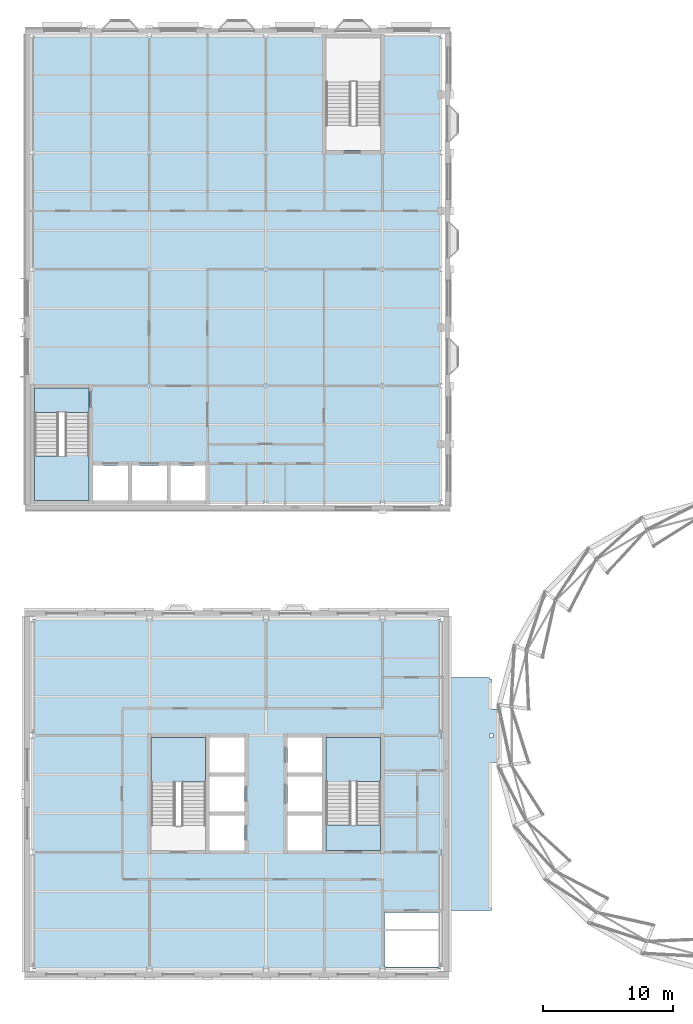
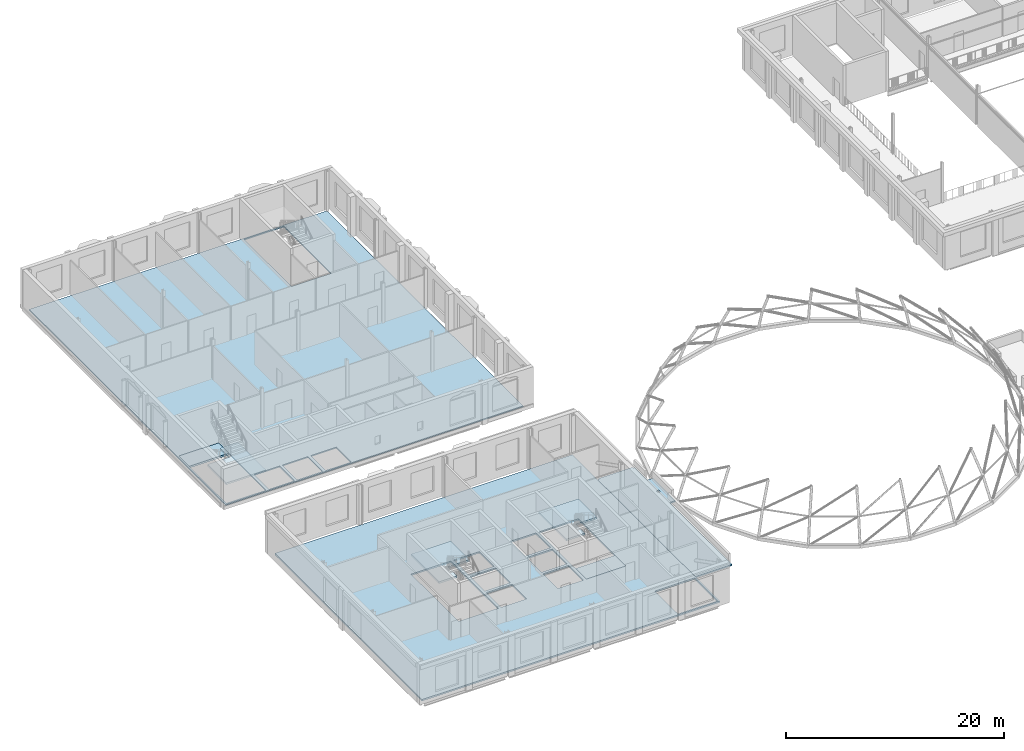
# One storey, part 18 of 59: 8 slabs, 3 elements without a shape of their own.
"""IFC4 building model written with IfcOpenShell, lengths in metres."""

from ifc_helpers import new_model, si_unit, direction, frame, origin, place, context, subcontext, project, spatial, polyline, outline, extrude, material, layer, layer_set, type_object, element, aggregate, save


model = new_model("IFC4")

# Units and contexts
model_context = context("Model", 3, precision=1e-05, world=origin(), true_north=direction((0.0, 1.0)))
body_context = subcontext(model_context, "Body", "Model", "MODEL_VIEW")
ifc_project = project(units=[si_unit("LENGTHUNIT", "METRE"), si_unit("AREAUNIT", "SQUARE_METRE"), si_unit("VOLUMEUNIT", "CUBIC_METRE"), si_unit("PLANEANGLEUNIT", "RADIAN"), si_unit("MASSUNIT", "GRAM", prefix="KILO")], contexts=[model_context])

# Site, building, storey
site_placement = place(None, origin())
site = spatial("IfcSite", under=ifc_project, at=site_placement, CompositionType="ELEMENT")
building_placement = place(site_placement, origin())
building = spatial("IfcBuilding", under=site, at=building_placement, Name="Hortulan Conservatory and Botanical Research Centre", CompositionType="ELEMENT")
storey_placement = place(building_placement, frame((0.0, 0.0, 10.5)))
storey = spatial("IfcBuildingStorey", under=building, at=storey_placement, Name="L02", CompositionType="ELEMENT", Elevation=10.5)

# Slabs
ifc_material_1 = material(Name="Concrete N32 (32 MPa, AS 3600)", Category="concrete")
ifc_layer_1 = layer(ifc_material_1, 0.1298828125)
ifc_layer_set_1 = layer_set([ifc_layer_1], Name="Composite Floor Slab 130")
slab_type_1 = type_object("IfcSlabType", Name="Composite Floor Slab 130", PredefinedType="FLOOR", material=ifc_layer_set_1)
slab_1_placement = place(storey_placement, frame((0.0, 0.0, -0.1298828125)))
element("IfcSlab", 1, at=slab_1_placement, inside=storey, type_object=slab_type_1, Name="Floor slab", PredefinedType="FLOOR", context=body_context, shape_type="SweptSolid", body=[
    extrude(outline(polyline([(0.0, 36.0), (31.5, 36.0), (31.5, 72.0), (0.0, 72.0), (0.0, 36.0)]), holes=[polyline([(4.64990234375, 36.14990234375), (7.35009765625, 36.14990234375), (7.35009765625, 38.85009765625), (4.64990234375, 38.85009765625), (4.64990234375, 36.14990234375)]), polyline([(7.64990234375, 36.14990234375), (10.35009765625, 36.14990234375), (10.35009765625, 38.85009765625), (7.64990234375, 38.85009765625), (7.64990234375, 36.14990234375)]), polyline([(10.64990234375, 36.14990234375), (13.35009765625, 36.14990234375), (13.35009765625, 38.85009765625), (10.64990234375, 38.85009765625), (10.64990234375, 36.14990234375)]), polyline([(0.14990234375, 44.85009765625), (0.14990234375, 36.14990234375), (4.35009765625, 36.14990234375), (4.35009765625, 44.85009765625), (0.14990234375, 44.85009765625)]), polyline([(22.64990234375, 71.85009765625), (22.64990234375, 63.14990234375), (26.85009765625, 63.14990234375), (26.85009765625, 71.85009765625), (22.64990234375, 71.85009765625)])]), origin(), (0.0, 0.0, 1.0), 0.1298828125),
])
ifc_material_2 = material(Name="Concrete N40 (40 MPa, AS 3600)", Category="concrete")
ifc_layer_2 = layer(ifc_material_2, 0.169921875)
ifc_layer_set_2 = layer_set([ifc_layer_2], Name="Composite Floor Slab 170")
slab_type_2 = type_object("IfcSlabType", Name="Composite Floor Slab 170", PredefinedType="FLOOR", material=ifc_layer_set_2)
slab_2_placement = place(storey_placement, frame((0.0, 0.0, -0.169921875)))
element("IfcSlab", 2, at=slab_2_placement, inside=storey, type_object=slab_type_2, Name="Floor slab", PredefinedType="FLOOR", context=body_context, shape_type="SweptSolid", body=[
    extrude(outline(polyline([(0.0, 0.0), (31.5, 0.0), (31.5, 27.0), (0.0, 27.0), (0.0, 0.0)]), holes=[polyline([(27.14990234375, 4.35009765625), (27.14990234375, 0.14990234375), (31.35009765625, 0.14990234375), (31.35009765625, 4.35009765625), (27.14990234375, 4.35009765625)]), polyline([(13.64990234375, 11.85009765625), (13.64990234375, 9.14990234375), (16.35009765625, 9.14990234375), (16.35009765625, 11.85009765625), (13.64990234375, 11.85009765625)]), polyline([(19.64990234375, 11.85009765625), (19.64990234375, 9.14990234375), (22.35009765625, 9.14990234375), (22.35009765625, 11.85009765625), (19.64990234375, 11.85009765625)]), polyline([(9.14990234375, 17.85009765625), (9.14990234375, 9.14990234375), (13.35009765625, 9.14990234375), (13.35009765625, 17.85009765625), (9.14990234375, 17.85009765625)]), polyline([(13.64990234375, 14.85009765625), (13.64990234375, 12.14990234375), (16.35009765625, 12.14990234375), (16.35009765625, 14.85009765625), (13.64990234375, 14.85009765625)]), polyline([(19.64990234375, 14.85009765625), (19.64990234375, 12.14990234375), (22.35009765625, 12.14990234375), (22.35009765625, 14.85009765625), (19.64990234375, 14.85009765625)]), polyline([(22.64990234375, 17.85009765625), (22.64990234375, 9.14990234375), (26.85009765625, 9.14990234375), (26.85009765625, 17.85009765625), (22.64990234375, 17.85009765625)]), polyline([(16.35009765625, 17.85009765625), (13.64990234375, 17.85009765625), (13.64990234375, 15.14990234375), (16.35009765625, 15.14990234375), (16.35009765625, 17.85009765625)]), polyline([(22.35009765625, 17.85009765625), (19.64990234375, 17.85009765625), (19.64990234375, 15.14990234375), (22.35009765625, 15.14990234375), (22.35009765625, 17.85009765625)])]), origin(), (0.0, 0.0, 1.0), 0.169921875),
])
ifc_layer_3 = layer(ifc_material_2, 0.14990234375)
ifc_layer_set_3 = layer_set([ifc_layer_3], Name="Head Link Roof Slab 150")
slab_type_3 = type_object("IfcSlabType", Name="Head Link Roof Slab 150", PredefinedType="ROOF", material=ifc_layer_set_3)
slab_3_placement = place(storey_placement, frame((0.0, 0.0, -0.14990234375)))
element("IfcSlab", 3, at=slab_3_placement, inside=storey, type_object=slab_type_3, Name="HW roof slab 1", PredefinedType="ROOF", context=body_context, shape_type="SweptSolid", body=[
    extrude(outline(polyline([(31.5, 4.5), (31.5, 22.364990234375), (31.635009765625, 22.364990234375), (31.635009765625, 22.5), (35.264892578125, 22.5), (35.264892578125, 22.364990234375), (35.39990234375, 22.364990234375), (35.39990234375, 20.069580078125), (36.0, 20.069580078125), (36.0, 15.930419921875), (35.39990234375, 15.930419921875), (35.39990234375, 4.5), (31.5, 4.5)]), holes=[polyline([(35.264892578125, 17.864990234375), (35.534912109375, 17.864990234375), (35.534912109375, 18.135009765625), (35.264892578125, 18.135009765625), (35.264892578125, 17.864990234375)])]), origin(), (0.0, 0.0, 1.0), 0.14990234375),
])

# Stair, slab
stair_type_1 = type_object("IfcStairType", Name="Concrete Escape Stair 1900", PredefinedType="HALF_TURN_STAIR", material=ifc_material_2)
stair_1_placement = place(storey_placement, origin())
stair_1 = element("IfcStair", 4, at=stair_1_placement, inside=storey, type_object=stair_type_1, Name="Stair T1 L02", PredefinedType="HALF_TURN_STAIR")
ifc_layer_4 = layer(ifc_material_2, 0.199951171875)
ifc_layer_set_4 = layer_set([ifc_layer_4], Name="Stair Landing 200")
slab_type_4 = type_object("IfcSlabType", Name="Stair Landing 200", PredefinedType="LANDING", material=ifc_layer_set_4)
slab_4_placement = place(storey_placement, frame((0.0, 0.0, 2.050048828125)))
slab_4 = element("IfcSlab", 5, at=slab_4_placement, type_object=slab_type_4, Name="Stair T1 L02 half landing 1", PredefinedType="LANDING", context=body_context, shape_type="SweptSolid", body=[
    extrude(outline(polyline([(13.35009765625, 14.409423828125), (11.050048828125, 14.409423828125), (11.050048828125, 12.72998046875), (9.14990234375, 12.72998046875), (9.14990234375, 14.409423828125), (9.14990234375, 14.409912109375), (9.14990234375, 14.419921875), (9.14990234375, 17.85009765625), (13.35009765625, 17.85009765625), (13.35009765625, 14.419921875), (13.35009765625, 14.409912109375), (13.35009765625, 14.409423828125)])), origin(), (0.0, 0.0, 1.0), 0.199951171875),
])
aggregate(stair_1, [slab_4])

stair_type_2 = type_object("IfcStairType", Name="Concrete Escape Stair 1950", PredefinedType="HALF_TURN_STAIR", material=ifc_material_2)
stair_2_placement = place(storey_placement, origin())
stair_2 = element("IfcStair", 6, at=stair_2_placement, inside=storey, type_object=stair_type_2, Name="Stair T2 L02", PredefinedType="HALF_TURN_STAIR")
slab_5_placement = place(storey_placement, frame((0.0, 0.0, 2.050048828125)))
slab_5 = element("IfcSlab", 7, at=slab_5_placement, type_object=slab_type_4, Name="Stair T2 L02 half landing 1", PredefinedType="LANDING", context=body_context, shape_type="SweptSolid", body=[
    extrude(outline(polyline([(26.85009765625, 14.45947265625), (24.60009765625, 14.45947265625), (24.60009765625, 12.780029296875), (22.64990234375, 12.780029296875), (22.64990234375, 14.45947265625), (22.64990234375, 14.4599609375), (22.64990234375, 14.469970703125), (22.64990234375, 17.85009765625), (26.85009765625, 17.85009765625), (26.85009765625, 14.469970703125), (26.85009765625, 14.4599609375), (26.85009765625, 14.45947265625)])), origin(), (0.0, 0.0, 1.0), 0.199951171875),
])
aggregate(stair_2, [slab_5])

# Slab
slab_6_placement = place(storey_placement, frame((0.0, 0.0, -0.199951171875)))
element("IfcSlab", 8, at=slab_6_placement, inside=storey, type_object=slab_type_4, Name="Stair T2 floor landing L02", PredefinedType="LANDING", context=body_context, shape_type="SweptSolid", body=[
    extrude(outline(polyline([(26.85009765625, 9.14990234375), (22.64990234375, 9.14990234375), (22.64990234375, 11.10009765625), (26.85009765625, 11.10009765625), (26.85009765625, 9.14990234375)])), origin(), (0.0, 0.0, 1.0), 0.199951171875),
])

# Stair, slab
stair_3_placement = place(storey_placement, origin())
stair_3 = element("IfcStair", 9, at=stair_3_placement, inside=storey, type_object=stair_type_1, Name="Stair V1 L02", PredefinedType="HALF_TURN_STAIR")
slab_7_placement = place(storey_placement, frame((0.0, 0.0, 2.050048828125)))
slab_7 = element("IfcSlab", 10, at=slab_7_placement, type_object=slab_type_4, Name="Stair V1 L02 half landing 1", PredefinedType="LANDING", context=body_context, shape_type="SweptSolid", body=[
    extrude(outline(polyline([(0.14990234375, 39.590576171875), (2.449951171875, 39.590576171875), (2.449951171875, 41.27001953125), (4.35009765625, 41.27001953125), (4.35009765625, 39.590576171875), (4.35009765625, 39.590087890625), (4.35009765625, 39.580078125), (4.35009765625, 36.14990234375), (0.14990234375, 36.14990234375), (0.14990234375, 39.580078125), (0.14990234375, 39.590087890625), (0.14990234375, 39.590576171875)])), origin(), (0.0, 0.0, 1.0), 0.199951171875),
])
aggregate(stair_3, [slab_7])

# Slab
slab_8_placement = place(storey_placement, frame((0.0, 0.0, -0.199951171875)))
element("IfcSlab", 11, at=slab_8_placement, inside=storey, type_object=slab_type_4, Name="Stair V1 floor landing L02", PredefinedType="LANDING", context=body_context, shape_type="SweptSolid", body=[
    extrude(outline(polyline([(0.14990234375, 44.85009765625), (4.35009765625, 44.85009765625), (4.35009765625, 42.949951171875), (0.14990234375, 42.949951171875), (0.14990234375, 44.85009765625)])), origin(), (0.0, 0.0, 1.0), 0.199951171875),
])

save(model, "model.ifc")
